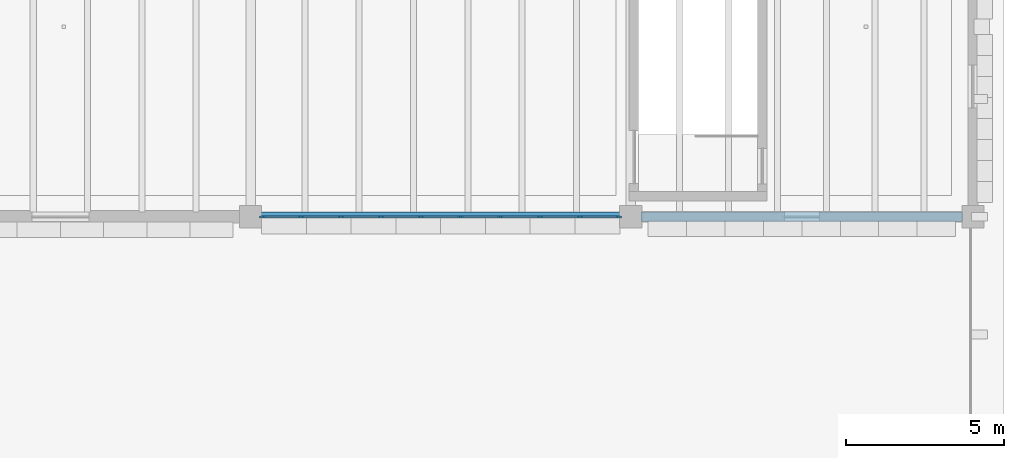
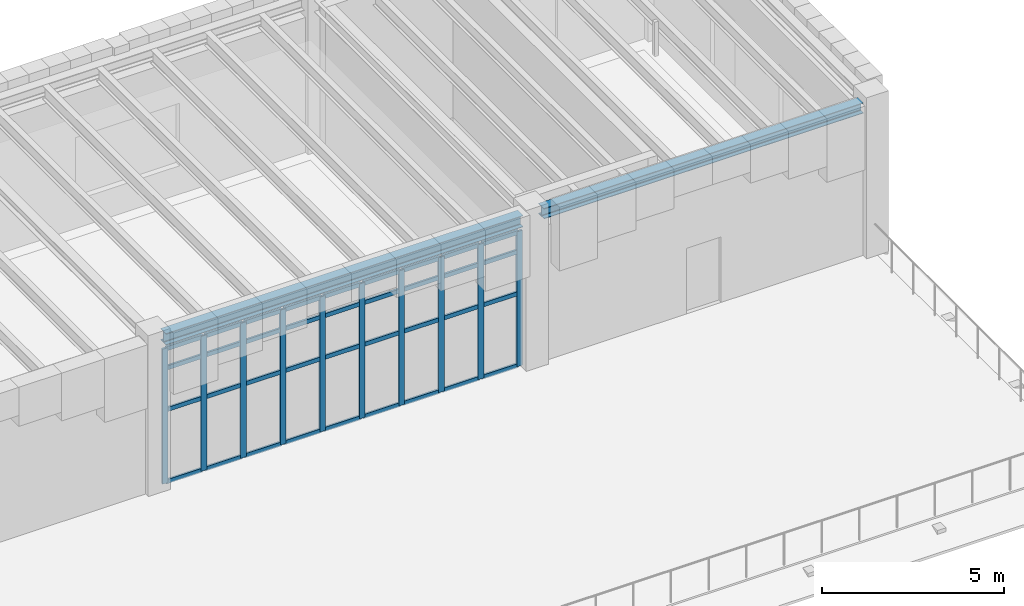
# One storey, part 37 of 100: 46 members, 2 beams, 1 element without a shape of its own.
"""IFC4 building model written with IfcOpenShell, lengths in metres."""

import ifcopenshell
import ifcopenshell.guid

model = None  # the IFC model being written
_history = None  # IfcOwnerHistory: only IFC2X3 demands one
_inside = {}  # id of a spatial element -> (the spatial element, [elements in it])
_under = {}  # id of a project, library or spatial element -> (it, [spatial elements below it])
_declared = {}  # id of a project -> (the project, [libraries it declares])
_typed = {}  # id of a type object -> (the type object, [elements of that type])
_made_of = {}  # id of a material, layer set ... -> (it, [elements and type objects made of it])


def new_model(schema):
    """Start an empty IFC model of exactly this schema.

    Asked for "IFC4X3", IfcOpenShell would pick the latest addendum, in which some entities
    have other attributes; the version numbers below select the first issue.
    IFC2X3 requires an IfcOwnerHistory on every rooted entity: one is made here for all.
    """
    global model, _history
    if schema == "IFC4X3":
        model = ifcopenshell.file(schema_version=(4, 3, 0, 0))
    else:
        model = ifcopenshell.file(schema=schema)
    _inside.clear()
    _under.clear()
    _declared.clear()
    _typed.clear()
    _made_of.clear()
    _history = None
    if model.schema == "IFC2X3":
        org = make("IfcOrganization", Name="unknown")
        user = make(
            "IfcPersonAndOrganization",
            ThePerson=make("IfcPerson", FamilyName="unknown"),
            TheOrganization=org,
        )
        app = make(
            "IfcApplication",
            ApplicationDeveloper=org,
            Version="unknown",
            ApplicationFullName="unknown",
            ApplicationIdentifier="unknown",
        )
        _history = make(
            "IfcOwnerHistory",
            OwningUser=user,
            OwningApplication=app,
            ChangeAction="ADDED",
            CreationDate=0,
        )
    return model


def make(cls, **values):
    """One entity of the class cls with the attributes given. An attribute that is None is left unset."""
    return model.create_entity(
        cls, **{name: value for name, value in values.items() if value is not None}
    )


def rooted(cls, **values):
    """An entity with a GlobalId (a new one), such as an element, a storey or a relation."""
    return make(cls, GlobalId=ifcopenshell.guid.new(), OwnerHistory=_history, **values)


def si_unit(unit_type, name, prefix=None):
    """IfcSIUnit, for example si_unit("LENGTHUNIT", "METRE", prefix="MILLI")."""
    return make("IfcSIUnit", UnitType=unit_type, Prefix=prefix, Name=name)


def assignment(units):
    """IfcUnitAssignment: the units of a project."""
    return None if units is None else make("IfcUnitAssignment", Units=units)


def point(xyz):
    """IfcCartesianPoint."""
    return None if xyz is None else make("IfcCartesianPoint", Coordinates=xyz)


def direction(xyz):
    """IfcDirection."""
    return None if xyz is None else make("IfcDirection", DirectionRatios=xyz)


def frame(location, z_axis=None, x_axis=None):
    """IfcAxis2Placement3D, a coordinate frame: its origin and axes. An axis left out is left unset."""
    return make(
        "IfcAxis2Placement3D",
        Location=point(location),
        Axis=direction(z_axis),
        RefDirection=direction(x_axis),
    )


def frame_2d(location, x_axis=None):
    """IfcAxis2Placement2D, a coordinate frame in the plane: its origin and x axis."""
    return make(
        "IfcAxis2Placement2D", Location=point(location), RefDirection=direction(x_axis)
    )


def origin():
    """The frame at (0, 0, 0) with its axes left unset."""
    return frame((0.0, 0.0, 0.0))


def origin_2d():
    """The frame at (0, 0) in the plane with its x axis left unset."""
    return frame_2d((0.0, 0.0))


def place(relative_to, where):
    """IfcLocalPlacement: puts the frame where relative to a parent placement (None: the world)."""
    return make(
        "IfcLocalPlacement", PlacementRelTo=relative_to, RelativePlacement=where
    )


def context(
    kind, dimensions, precision=None, world=None, true_north=None, identifier=None
):
    """IfcGeometricRepresentationContext, for example the 3D "Model" context."""
    return make(
        "IfcGeometricRepresentationContext",
        ContextIdentifier=identifier,
        ContextType=kind,
        CoordinateSpaceDimension=dimensions,
        Precision=precision,
        WorldCoordinateSystem=world,
        TrueNorth=true_north,
    )


def subcontext(parent, identifier, kind, view, scale=None):
    """IfcGeometricRepresentationSubContext, for example "Body" below "Model"."""
    return make(
        "IfcGeometricRepresentationSubContext",
        ContextIdentifier=identifier,
        ContextType=kind,
        ParentContext=parent,
        TargetScale=scale,
        TargetView=view,
    )


def project(units=None, contexts=None):
    """IfcProject with its units and contexts."""
    return rooted(
        "IfcProject",
        Name="project",
        RepresentationContexts=contexts,
        UnitsInContext=assignment(units),
    )


def spatial(cls, under=None, at=None, **own):
    """A site, building, storey or space (cls), placed at a placement, below another one or the project."""
    s = rooted(cls, ObjectPlacement=at, **own)
    if under is not None:
        _under.setdefault(under.id(), (under, []))[1].append(s)
    return s


def profile(cls, at=None, kind="AREA", **sizes):
    """A parametric profile (cls). Its sizes go by their IFC names, for example OverallWidth=200.0."""
    return make(cls, ProfileType=kind, Position=at, **sizes)


def rectangle(**sizes):
    """IfcRectangleProfileDef."""
    return profile("IfcRectangleProfileDef", **sizes)


def i_section(**sizes):
    """IfcIShapeProfileDef."""
    return profile("IfcIShapeProfileDef", **sizes)


def extrude(swept, where, along, depth):
    """IfcExtrudedAreaSolid: the profile swept, set in the frame where, extruded along a direction by depth."""
    return make(
        "IfcExtrudedAreaSolid",
        SweptArea=swept,
        Position=where,
        ExtrudedDirection=direction(along),
        Depth=depth,
    )


def shape(context_of_items, identifier, shape_type, items):
    """IfcShapeRepresentation: the items that make up one representation, for example the "Body"."""
    return make(
        "IfcShapeRepresentation",
        ContextOfItems=context_of_items,
        RepresentationIdentifier=identifier,
        RepresentationType=shape_type,
        Items=items,
    )


def material(Name=None, Category=None):
    """IfcMaterial."""
    return make("IfcMaterial", Name=Name, Category=Category)


def layer(
    of_material, thickness, ventilated=None, Name=None, Category=None, Priority=None
):
    """IfcMaterialLayer: one layer of a wall or slab, of a material (None: an air gap)."""
    return make(
        "IfcMaterialLayer",
        Material=of_material,
        LayerThickness=thickness,
        IsVentilated=ventilated,
        Name=Name,
        Category=Category,
        Priority=Priority,
    )


def layer_set(layers, Name=None):
    """IfcMaterialLayerSet."""
    return make("IfcMaterialLayerSet", MaterialLayers=layers, LayerSetName=Name)


def material_profile(
    of_material, cross_section, Name=None, Category=None, Priority=None
):
    """IfcMaterialProfile: a cross section and its material."""
    return make(
        "IfcMaterialProfile",
        Name=Name,
        Material=of_material,
        Profile=cross_section,
        Priority=Priority,
        Category=Category,
    )


def profile_set(profiles, Name=None, composite=None):
    """IfcMaterialProfileSet."""
    return make(
        "IfcMaterialProfileSet",
        Name=Name,
        MaterialProfiles=profiles,
        CompositeProfile=composite,
    )


def made_of(thing, what):
    """Note that an element or type object is made of a material, layer set ...; save() writes the relation."""
    if what is not None:
        _made_of.setdefault(what.id(), (what, []))[1].append(thing)
    return thing


def type_object(cls, material=None, **own):
    """A type object (cls), such as IfcWallType, which elements share."""
    return made_of(rooted(cls, **own), material)


def element(
    cls,
    number,
    at=None,
    inside=None,
    cuts=None,
    type_object=None,
    material=None,
    context=None,
    identifier="Body",
    shape_type=None,
    held_by="IfcProductDefinitionShape",
    body=None,
    shapes=None,
    **own,
):
    """One element of the class cls, such as IfcWall. Its Tag is "e" and its number.

    at: its placement. inside: the storey or other place that contains it. cuts: it is an
    opening in that element (IfcRelVoidsElement). A single representation is given by context,
    identifier, shape_type and body (its items); several are given by shapes. held_by: the class
    of the entity that holds the representations. save() writes the other relations.
    """
    e = rooted(cls, Tag="e%d" % number, ObjectPlacement=at, **own)
    if body is not None:
        shapes = [shape(context, identifier, shape_type, body)]
    if shapes is not None:
        e.Representation = make(held_by, Representations=shapes)
    if inside is not None:
        _inside.setdefault(inside.id(), (inside, []))[1].append(e)
    if cuts is not None:
        rooted(
            "IfcRelVoidsElement", RelatingBuildingElement=cuts, RelatedOpeningElement=e
        )
    if type_object is not None:
        _typed.setdefault(type_object.id(), (type_object, []))[1].append(e)
    return made_of(e, material)


def aggregate(whole, parts):
    """IfcRelAggregates: a whole, such as a stair, and the parts it consists of."""
    return rooted("IfcRelAggregates", RelatingObject=whole, RelatedObjects=parts)


def save(model, path):
    """Write the relations noted so far, then the file.

    IfcRelAggregates (storeys below a building ...), IfcRelContainedInSpatialStructure (elements
    in a storey), IfcRelDefinesByType, IfcRelAssociatesMaterial and IfcRelDeclares: one each for
    every whole, place, type object, material and project.
    """
    for whole, parts in _under.values():
        aggregate(whole, parts)
    for where, things in _inside.values():
        rooted(
            "IfcRelContainedInSpatialStructure",
            RelatedElements=things,
            RelatingStructure=where,
        )
    for kind, things in _typed.values():
        rooted("IfcRelDefinesByType", RelatedObjects=things, RelatingType=kind)
    for what, things in _made_of.values():
        rooted("IfcRelAssociatesMaterial", RelatedObjects=things, RelatingMaterial=what)
    for by, libraries in _declared.values():
        rooted("IfcRelDeclares", RelatingContext=by, RelatedDefinitions=libraries)
    model.write(path)


model = new_model("IFC4")

# Units and contexts
model_context = context("Model", 3, precision=1e-05, world=origin(), true_north=direction((0.0, 1.0)))
body_context = subcontext(model_context, "Body", "Model", "MODEL_VIEW")
ifc_project = project(units=[si_unit("LENGTHUNIT", "METRE"), si_unit("AREAUNIT", "SQUARE_METRE"), si_unit("VOLUMEUNIT", "CUBIC_METRE"), si_unit("PLANEANGLEUNIT", "RADIAN"), si_unit("MASSUNIT", "GRAM", prefix="KILO")], contexts=[model_context])

# Site, building, storey
site_placement = place(None, origin())
site = spatial("IfcSite", under=ifc_project, at=site_placement, CompositionType="ELEMENT")
building_placement = place(site_placement, origin())
building = spatial("IfcBuilding", under=site, at=building_placement, Name="Zlatogorsky Bluff Art Gallery", CompositionType="ELEMENT")
storey_placement = place(building_placement, frame((0.0, 0.0, 5.39990234375)))
storey = spatial("IfcBuildingStorey", under=building, at=storey_placement, Name="L01", CompositionType="ELEMENT", Elevation=5.39990234375)

# Beams
ifc_material_1 = material(Name="Steel S355", Category="steel")
ifc_material_profile_1 = material_profile(ifc_material_1, i_section(OverallWidth=0.300048828125, OverallDepth=0.389892578125, WebThickness=0.010986328125, FlangeThickness=0.01904296875, FilletRadius=0.027099609375, at=origin_2d()), Name="HEA 400")
ifc_profile_set_1 = profile_set([ifc_material_profile_1], Name="Steel S355")
beam_type_1 = type_object("IfcBeamType", Name="Beam BM-09 HEA 400", PredefinedType="BEAM", material=ifc_profile_set_1)
beam_1_placement = place(storey_placement, frame((144.330078125, 38.39990234375, 4.9150390625), z_axis=(1.0, 0.0, 0.0), x_axis=(0.0, 1.0, 0.0)))
element("IfcBeam", 1, at=beam_1_placement, inside=storey, type_object=beam_type_1, Name="Primary girder BM-09 L01 N-P/5", PredefinedType="BEAM", context=body_context, shape_type="SweptSolid", body=[
    extrude(i_section(OverallWidth=0.300048828125, OverallDepth=0.389892578125, WebThickness=0.010986328125, FlangeThickness=0.01904296875, FilletRadius=0.027099609375, at=origin_2d()), origin(), (0.0, 0.0, 1.0), 11.33984375),
])
ifc_material_profile_2 = material_profile(ifc_material_1, i_section(OverallWidth=0.300048828125, OverallDepth=0.35009765625, WebThickness=0.010009765625, FlangeThickness=0.017578125, FilletRadius=0.027099609375, at=origin_2d()), Name="HEA 360")
ifc_profile_set_2 = profile_set([ifc_material_profile_2], Name="Steel S355")
beam_type_2 = type_object("IfcBeamType", Name="Beam BM-10 HEA 360", PredefinedType="BEAM", material=ifc_profile_set_2)
beam_2_placement = place(storey_placement, frame((156.330078125, 38.39990234375, 4.93505859375), z_axis=(1.0, 0.0, 0.0), x_axis=(0.0, 1.0, 0.0)))
element("IfcBeam", 2, at=beam_2_placement, inside=storey, type_object=beam_type_2, Name="Primary girder BM-10 L01 P-Q/5", PredefinedType="BEAM", context=body_context, shape_type="SweptSolid", body=[
    extrude(i_section(OverallWidth=0.300048828125, OverallDepth=0.35009765625, WebThickness=0.010009765625, FlangeThickness=0.017578125, FilletRadius=0.027099609375, at=origin_2d()), origin(), (0.0, 0.0, 1.0), 10.139892578125),
])

# Curtain wall, members
ifc_material_2 = material(Name="Anodised Bronze Aluminium and Low-Iron Triple Glazing", Category="aluminium")
ifc_layer = layer(ifc_material_2, 0.179931640625)
ifc_layer_set = layer_set([ifc_layer], Name="Curtain Wall CW-03")
curtain_wall_type = type_object("IfcCurtainWallType", Name="Curtain Wall CW-03", PredefinedType="USERDEFINED", material=ifc_layer_set)
curtain_wall_placement = place(storey_placement, origin())
curtain_wall = element("IfcCurtainWall", 3, at=curtain_wall_placement, inside=storey, type_object=curtain_wall_type, Name="Unitised curtain wall CW-03 L01 S 12.4", ObjectType="CURTAIN WALL", PredefinedType="USERDEFINED")
ifc_material_3 = material(Name="Anodised Bronze Aluminium", Category="aluminium")
ifc_material_profile_3 = material_profile(ifc_material_3, rectangle(XDim=0.06494140625, YDim=0.179931640625, at=origin_2d()), Name="ALU MULLION 65x180")
ifc_profile_set_3 = profile_set([ifc_material_profile_3], Name="Anodised Bronze Aluminium")
member_type_1 = type_object("IfcMemberType", Name="Curtain Mullion ML-01", PredefinedType="MULLION", material=ifc_profile_set_3)
member_1_placement = place(storey_placement, frame((144.37744140625, 38.39990234375, 0.0), z_axis=(0.0, 0.0, 1.0), x_axis=(0.0, 1.0, 0.0)))
member_1 = element("IfcMember", 4, at=member_1_placement, type_object=member_type_1, Name="CW-03 mullion 1", PredefinedType="MULLION", context=body_context, shape_type="SweptSolid", body=[
    extrude(rectangle(XDim=0.06494140625, YDim=0.179931640625, at=origin_2d()), origin(), (0.0, 0.0, 1.0), 4.530029296875),
])
member_2_placement = place(storey_placement, frame((145.6015625, 38.39990234375, 0.0), z_axis=(0.0, 0.0, 1.0), x_axis=(0.0, 1.0, 0.0)))
member_2 = element("IfcMember", 5, at=member_2_placement, type_object=member_type_1, Name="CW-03 mullion 2", PredefinedType="MULLION", context=body_context, shape_type="SweptSolid", body=[
    extrude(rectangle(XDim=0.06494140625, YDim=0.179931640625, at=origin_2d()), origin(), (0.0, 0.0, 1.0), 4.530029296875),
])
member_3_placement = place(storey_placement, frame((146.8583984375, 38.39990234375, 0.0), z_axis=(0.0, 0.0, 1.0), x_axis=(0.0, 1.0, 0.0)))
member_3 = element("IfcMember", 6, at=member_3_placement, type_object=member_type_1, Name="CW-03 mullion 3", PredefinedType="MULLION", context=body_context, shape_type="SweptSolid", body=[
    extrude(rectangle(XDim=0.06494140625, YDim=0.179931640625, at=origin_2d()), origin(), (0.0, 0.0, 1.0), 4.530029296875),
])
member_4_placement = place(storey_placement, frame((148.114990234375, 38.39990234375, 0.0), z_axis=(0.0, 0.0, 1.0), x_axis=(0.0, 1.0, 0.0)))
member_4 = element("IfcMember", 7, at=member_4_placement, type_object=member_type_1, Name="CW-03 mullion 4", PredefinedType="MULLION", context=body_context, shape_type="SweptSolid", body=[
    extrude(rectangle(XDim=0.06494140625, YDim=0.179931640625, at=origin_2d()), origin(), (0.0, 0.0, 1.0), 4.530029296875),
])
member_5_placement = place(storey_placement, frame((149.37158203125, 38.39990234375, 0.0), z_axis=(0.0, 0.0, 1.0), x_axis=(0.0, 1.0, 0.0)))
member_5 = element("IfcMember", 8, at=member_5_placement, type_object=member_type_1, Name="CW-03 mullion 5", PredefinedType="MULLION", context=body_context, shape_type="SweptSolid", body=[
    extrude(rectangle(XDim=0.06494140625, YDim=0.179931640625, at=origin_2d()), origin(), (0.0, 0.0, 1.0), 4.530029296875),
])
member_6_placement = place(storey_placement, frame((150.62841796875, 38.39990234375, 0.0), z_axis=(0.0, 0.0, 1.0), x_axis=(0.0, 1.0, 0.0)))
member_6 = element("IfcMember", 9, at=member_6_placement, type_object=member_type_1, Name="CW-03 mullion 6", PredefinedType="MULLION", context=body_context, shape_type="SweptSolid", body=[
    extrude(rectangle(XDim=0.06494140625, YDim=0.179931640625, at=origin_2d()), origin(), (0.0, 0.0, 1.0), 4.530029296875),
])
member_7_placement = place(storey_placement, frame((151.885009765625, 38.39990234375, 0.0), z_axis=(0.0, 0.0, 1.0), x_axis=(0.0, 1.0, 0.0)))
member_7 = element("IfcMember", 10, at=member_7_placement, type_object=member_type_1, Name="CW-03 mullion 7", PredefinedType="MULLION", context=body_context, shape_type="SweptSolid", body=[
    extrude(rectangle(XDim=0.06494140625, YDim=0.179931640625, at=origin_2d()), origin(), (0.0, 0.0, 1.0), 4.530029296875),
])
member_8_placement = place(storey_placement, frame((153.1416015625, 38.39990234375, 0.0), z_axis=(0.0, 0.0, 1.0), x_axis=(0.0, 1.0, 0.0)))
member_8 = element("IfcMember", 11, at=member_8_placement, type_object=member_type_1, Name="CW-03 mullion 8", PredefinedType="MULLION", context=body_context, shape_type="SweptSolid", body=[
    extrude(rectangle(XDim=0.06494140625, YDim=0.179931640625, at=origin_2d()), origin(), (0.0, 0.0, 1.0), 4.530029296875),
])
member_9_placement = place(storey_placement, frame((154.3984375, 38.39990234375, 0.0), z_axis=(0.0, 0.0, 1.0), x_axis=(0.0, 1.0, 0.0)))
member_9 = element("IfcMember", 12, at=member_9_placement, type_object=member_type_1, Name="CW-03 mullion 9", PredefinedType="MULLION", context=body_context, shape_type="SweptSolid", body=[
    extrude(rectangle(XDim=0.06494140625, YDim=0.179931640625, at=origin_2d()), origin(), (0.0, 0.0, 1.0), 4.530029296875),
])
member_10_placement = place(storey_placement, frame((155.62255859375, 38.39990234375, 0.0), z_axis=(0.0, 0.0, 1.0), x_axis=(0.0, 1.0, 0.0)))
member_10 = element("IfcMember", 13, at=member_10_placement, type_object=member_type_1, Name="CW-03 mullion 10", PredefinedType="MULLION", context=body_context, shape_type="SweptSolid", body=[
    extrude(rectangle(XDim=0.06494140625, YDim=0.179931640625, at=origin_2d()), origin(), (0.0, 0.0, 1.0), 4.530029296875),
])
ifc_material_profile_4 = material_profile(ifc_material_3, rectangle(XDim=0.06494140625, YDim=0.139892578125, at=origin_2d()), Name="ALU TRANSOM 65x140")
ifc_profile_set_4 = profile_set([ifc_material_profile_4], Name="Anodised Bronze Aluminium")
member_type_2 = type_object("IfcMemberType", Name="Curtain Transom TR-01", PredefinedType="USERDEFINED", material=ifc_profile_set_4)
member_11_placement = place(storey_placement, frame((144.409912109375, 38.39990234375, 0.03271484375), z_axis=(1.0, 0.0, 0.0), x_axis=(0.0, 1.0, 0.0)))
member_11 = element("IfcMember", 14, at=member_11_placement, type_object=member_type_2, Name="CW-03 transom 1.1", ObjectType="TRANSOM", PredefinedType="USERDEFINED", context=body_context, shape_type="SweptSolid", body=[
    extrude(rectangle(XDim=0.06494140625, YDim=0.139892578125, at=origin_2d()), origin(), (0.0, 0.0, 1.0), 1.1591796875),
])
member_12_placement = place(storey_placement, frame((144.409912109375, 38.39990234375, 2.4501953125), z_axis=(1.0, 0.0, 0.0), x_axis=(0.0, 1.0, 0.0)))
member_12 = element("IfcMember", 15, at=member_12_placement, type_object=member_type_2, Name="CW-03 transom 1.2", ObjectType="TRANSOM", PredefinedType="USERDEFINED", context=body_context, shape_type="SweptSolid", body=[
    extrude(rectangle(XDim=0.06494140625, YDim=0.139892578125, at=origin_2d()), origin(), (0.0, 0.0, 1.0), 1.1591796875),
])
member_13_placement = place(storey_placement, frame((144.409912109375, 38.39990234375, 3.85009765625), z_axis=(1.0, 0.0, 0.0), x_axis=(0.0, 1.0, 0.0)))
member_13 = element("IfcMember", 16, at=member_13_placement, type_object=member_type_2, Name="CW-03 transom 1.3", ObjectType="TRANSOM", PredefinedType="USERDEFINED", context=body_context, shape_type="SweptSolid", body=[
    extrude(rectangle(XDim=0.06494140625, YDim=0.139892578125, at=origin_2d()), origin(), (0.0, 0.0, 1.0), 1.1591796875),
])
member_14_placement = place(storey_placement, frame((144.409912109375, 38.39990234375, 4.49755859375), z_axis=(1.0, 0.0, 0.0), x_axis=(0.0, 1.0, 0.0)))
member_14 = element("IfcMember", 17, at=member_14_placement, type_object=member_type_2, Name="CW-03 transom 1.4", ObjectType="TRANSOM", PredefinedType="USERDEFINED", context=body_context, shape_type="SweptSolid", body=[
    extrude(rectangle(XDim=0.06494140625, YDim=0.139892578125, at=origin_2d()), origin(), (0.0, 0.0, 1.0), 1.1591796875),
])
member_15_placement = place(storey_placement, frame((145.63427734375, 38.39990234375, 0.03271484375), z_axis=(1.0, 0.0, 0.0), x_axis=(0.0, 1.0, 0.0)))
member_15 = element("IfcMember", 18, at=member_15_placement, type_object=member_type_2, Name="CW-03 transom 2.1", ObjectType="TRANSOM", PredefinedType="USERDEFINED", context=body_context, shape_type="SweptSolid", body=[
    extrude(rectangle(XDim=0.06494140625, YDim=0.139892578125, at=origin_2d()), origin(), (0.0, 0.0, 1.0), 1.191650390625),
])
member_16_placement = place(storey_placement, frame((145.63427734375, 38.39990234375, 2.4501953125), z_axis=(1.0, 0.0, 0.0), x_axis=(0.0, 1.0, 0.0)))
member_16 = element("IfcMember", 19, at=member_16_placement, type_object=member_type_2, Name="CW-03 transom 2.2", ObjectType="TRANSOM", PredefinedType="USERDEFINED", context=body_context, shape_type="SweptSolid", body=[
    extrude(rectangle(XDim=0.06494140625, YDim=0.139892578125, at=origin_2d()), origin(), (0.0, 0.0, 1.0), 1.191650390625),
])
member_17_placement = place(storey_placement, frame((145.63427734375, 38.39990234375, 3.85009765625), z_axis=(1.0, 0.0, 0.0), x_axis=(0.0, 1.0, 0.0)))
member_17 = element("IfcMember", 20, at=member_17_placement, type_object=member_type_2, Name="CW-03 transom 2.3", ObjectType="TRANSOM", PredefinedType="USERDEFINED", context=body_context, shape_type="SweptSolid", body=[
    extrude(rectangle(XDim=0.06494140625, YDim=0.139892578125, at=origin_2d()), origin(), (0.0, 0.0, 1.0), 1.191650390625),
])
member_18_placement = place(storey_placement, frame((145.63427734375, 38.39990234375, 4.49755859375), z_axis=(1.0, 0.0, 0.0), x_axis=(0.0, 1.0, 0.0)))
member_18 = element("IfcMember", 21, at=member_18_placement, type_object=member_type_2, Name="CW-03 transom 2.4", ObjectType="TRANSOM", PredefinedType="USERDEFINED", context=body_context, shape_type="SweptSolid", body=[
    extrude(rectangle(XDim=0.06494140625, YDim=0.139892578125, at=origin_2d()), origin(), (0.0, 0.0, 1.0), 1.191650390625),
])
member_19_placement = place(storey_placement, frame((146.890869140625, 38.39990234375, 0.03271484375), z_axis=(1.0, 0.0, 0.0), x_axis=(0.0, 1.0, 0.0)))
member_19 = element("IfcMember", 22, at=member_19_placement, type_object=member_type_2, Name="CW-03 transom 3.1", ObjectType="TRANSOM", PredefinedType="USERDEFINED", context=body_context, shape_type="SweptSolid", body=[
    extrude(rectangle(XDim=0.06494140625, YDim=0.139892578125, at=origin_2d()), origin(), (0.0, 0.0, 1.0), 1.191650390625),
])
member_20_placement = place(storey_placement, frame((146.890869140625, 38.39990234375, 2.4501953125), z_axis=(1.0, 0.0, 0.0), x_axis=(0.0, 1.0, 0.0)))
member_20 = element("IfcMember", 23, at=member_20_placement, type_object=member_type_2, Name="CW-03 transom 3.2", ObjectType="TRANSOM", PredefinedType="USERDEFINED", context=body_context, shape_type="SweptSolid", body=[
    extrude(rectangle(XDim=0.06494140625, YDim=0.139892578125, at=origin_2d()), origin(), (0.0, 0.0, 1.0), 1.191650390625),
])
member_21_placement = place(storey_placement, frame((146.890869140625, 38.39990234375, 3.85009765625), z_axis=(1.0, 0.0, 0.0), x_axis=(0.0, 1.0, 0.0)))
member_21 = element("IfcMember", 24, at=member_21_placement, type_object=member_type_2, Name="CW-03 transom 3.3", ObjectType="TRANSOM", PredefinedType="USERDEFINED", context=body_context, shape_type="SweptSolid", body=[
    extrude(rectangle(XDim=0.06494140625, YDim=0.139892578125, at=origin_2d()), origin(), (0.0, 0.0, 1.0), 1.191650390625),
])
member_22_placement = place(storey_placement, frame((146.890869140625, 38.39990234375, 4.49755859375), z_axis=(1.0, 0.0, 0.0), x_axis=(0.0, 1.0, 0.0)))
member_22 = element("IfcMember", 25, at=member_22_placement, type_object=member_type_2, Name="CW-03 transom 3.4", ObjectType="TRANSOM", PredefinedType="USERDEFINED", context=body_context, shape_type="SweptSolid", body=[
    extrude(rectangle(XDim=0.06494140625, YDim=0.139892578125, at=origin_2d()), origin(), (0.0, 0.0, 1.0), 1.191650390625),
])
member_23_placement = place(storey_placement, frame((148.1474609375, 38.39990234375, 0.03271484375), z_axis=(1.0, 0.0, 0.0), x_axis=(0.0, 1.0, 0.0)))
member_23 = element("IfcMember", 26, at=member_23_placement, type_object=member_type_2, Name="CW-03 transom 4.1", ObjectType="TRANSOM", PredefinedType="USERDEFINED", context=body_context, shape_type="SweptSolid", body=[
    extrude(rectangle(XDim=0.06494140625, YDim=0.139892578125, at=origin_2d()), origin(), (0.0, 0.0, 1.0), 1.191650390625),
])
member_24_placement = place(storey_placement, frame((148.1474609375, 38.39990234375, 2.4501953125), z_axis=(1.0, 0.0, 0.0), x_axis=(0.0, 1.0, 0.0)))
member_24 = element("IfcMember", 27, at=member_24_placement, type_object=member_type_2, Name="CW-03 transom 4.2", ObjectType="TRANSOM", PredefinedType="USERDEFINED", context=body_context, shape_type="SweptSolid", body=[
    extrude(rectangle(XDim=0.06494140625, YDim=0.139892578125, at=origin_2d()), origin(), (0.0, 0.0, 1.0), 1.191650390625),
])
member_25_placement = place(storey_placement, frame((148.1474609375, 38.39990234375, 3.85009765625), z_axis=(1.0, 0.0, 0.0), x_axis=(0.0, 1.0, 0.0)))
member_25 = element("IfcMember", 28, at=member_25_placement, type_object=member_type_2, Name="CW-03 transom 4.3", ObjectType="TRANSOM", PredefinedType="USERDEFINED", context=body_context, shape_type="SweptSolid", body=[
    extrude(rectangle(XDim=0.06494140625, YDim=0.139892578125, at=origin_2d()), origin(), (0.0, 0.0, 1.0), 1.191650390625),
])
member_26_placement = place(storey_placement, frame((148.1474609375, 38.39990234375, 4.49755859375), z_axis=(1.0, 0.0, 0.0), x_axis=(0.0, 1.0, 0.0)))
member_26 = element("IfcMember", 29, at=member_26_placement, type_object=member_type_2, Name="CW-03 transom 4.4", ObjectType="TRANSOM", PredefinedType="USERDEFINED", context=body_context, shape_type="SweptSolid", body=[
    extrude(rectangle(XDim=0.06494140625, YDim=0.139892578125, at=origin_2d()), origin(), (0.0, 0.0, 1.0), 1.191650390625),
])
member_27_placement = place(storey_placement, frame((149.404052734375, 38.39990234375, 0.03271484375), z_axis=(1.0, 0.0, 0.0), x_axis=(0.0, 1.0, 0.0)))
member_27 = element("IfcMember", 30, at=member_27_placement, type_object=member_type_2, Name="CW-03 transom 5.1", ObjectType="TRANSOM", PredefinedType="USERDEFINED", context=body_context, shape_type="SweptSolid", body=[
    extrude(rectangle(XDim=0.06494140625, YDim=0.139892578125, at=origin_2d()), origin(), (0.0, 0.0, 1.0), 1.19189453125),
])
member_28_placement = place(storey_placement, frame((149.404052734375, 38.39990234375, 2.4501953125), z_axis=(1.0, 0.0, 0.0), x_axis=(0.0, 1.0, 0.0)))
member_28 = element("IfcMember", 31, at=member_28_placement, type_object=member_type_2, Name="CW-03 transom 5.2", ObjectType="TRANSOM", PredefinedType="USERDEFINED", context=body_context, shape_type="SweptSolid", body=[
    extrude(rectangle(XDim=0.06494140625, YDim=0.139892578125, at=origin_2d()), origin(), (0.0, 0.0, 1.0), 1.19189453125),
])
member_29_placement = place(storey_placement, frame((149.404052734375, 38.39990234375, 3.85009765625), z_axis=(1.0, 0.0, 0.0), x_axis=(0.0, 1.0, 0.0)))
member_29 = element("IfcMember", 32, at=member_29_placement, type_object=member_type_2, Name="CW-03 transom 5.3", ObjectType="TRANSOM", PredefinedType="USERDEFINED", context=body_context, shape_type="SweptSolid", body=[
    extrude(rectangle(XDim=0.06494140625, YDim=0.139892578125, at=origin_2d()), origin(), (0.0, 0.0, 1.0), 1.19189453125),
])
member_30_placement = place(storey_placement, frame((149.404052734375, 38.39990234375, 4.49755859375), z_axis=(1.0, 0.0, 0.0), x_axis=(0.0, 1.0, 0.0)))
member_30 = element("IfcMember", 33, at=member_30_placement, type_object=member_type_2, Name="CW-03 transom 5.4", ObjectType="TRANSOM", PredefinedType="USERDEFINED", context=body_context, shape_type="SweptSolid", body=[
    extrude(rectangle(XDim=0.06494140625, YDim=0.139892578125, at=origin_2d()), origin(), (0.0, 0.0, 1.0), 1.19189453125),
])
member_31_placement = place(storey_placement, frame((150.660888671875, 38.39990234375, 0.03271484375), z_axis=(1.0, 0.0, 0.0), x_axis=(0.0, 1.0, 0.0)))
member_31 = element("IfcMember", 34, at=member_31_placement, type_object=member_type_2, Name="CW-03 transom 6.1", ObjectType="TRANSOM", PredefinedType="USERDEFINED", context=body_context, shape_type="SweptSolid", body=[
    extrude(rectangle(XDim=0.06494140625, YDim=0.139892578125, at=origin_2d()), origin(), (0.0, 0.0, 1.0), 1.191650390625),
])
member_32_placement = place(storey_placement, frame((150.660888671875, 38.39990234375, 2.4501953125), z_axis=(1.0, 0.0, 0.0), x_axis=(0.0, 1.0, 0.0)))
member_32 = element("IfcMember", 35, at=member_32_placement, type_object=member_type_2, Name="CW-03 transom 6.2", ObjectType="TRANSOM", PredefinedType="USERDEFINED", context=body_context, shape_type="SweptSolid", body=[
    extrude(rectangle(XDim=0.06494140625, YDim=0.139892578125, at=origin_2d()), origin(), (0.0, 0.0, 1.0), 1.191650390625),
])
member_33_placement = place(storey_placement, frame((150.660888671875, 38.39990234375, 3.85009765625), z_axis=(1.0, 0.0, 0.0), x_axis=(0.0, 1.0, 0.0)))
member_33 = element("IfcMember", 36, at=member_33_placement, type_object=member_type_2, Name="CW-03 transom 6.3", ObjectType="TRANSOM", PredefinedType="USERDEFINED", context=body_context, shape_type="SweptSolid", body=[
    extrude(rectangle(XDim=0.06494140625, YDim=0.139892578125, at=origin_2d()), origin(), (0.0, 0.0, 1.0), 1.191650390625),
])
member_34_placement = place(storey_placement, frame((150.660888671875, 38.39990234375, 4.49755859375), z_axis=(1.0, 0.0, 0.0), x_axis=(0.0, 1.0, 0.0)))
member_34 = element("IfcMember", 37, at=member_34_placement, type_object=member_type_2, Name="CW-03 transom 6.4", ObjectType="TRANSOM", PredefinedType="USERDEFINED", context=body_context, shape_type="SweptSolid", body=[
    extrude(rectangle(XDim=0.06494140625, YDim=0.139892578125, at=origin_2d()), origin(), (0.0, 0.0, 1.0), 1.191650390625),
])
member_35_placement = place(storey_placement, frame((151.91748046875, 38.39990234375, 0.03271484375), z_axis=(1.0, 0.0, 0.0), x_axis=(0.0, 1.0, 0.0)))
member_35 = element("IfcMember", 38, at=member_35_placement, type_object=member_type_2, Name="CW-03 transom 7.1", ObjectType="TRANSOM", PredefinedType="USERDEFINED", context=body_context, shape_type="SweptSolid", body=[
    extrude(rectangle(XDim=0.06494140625, YDim=0.139892578125, at=origin_2d()), origin(), (0.0, 0.0, 1.0), 1.191650390625),
])
member_36_placement = place(storey_placement, frame((151.91748046875, 38.39990234375, 2.4501953125), z_axis=(1.0, 0.0, 0.0), x_axis=(0.0, 1.0, 0.0)))
member_36 = element("IfcMember", 39, at=member_36_placement, type_object=member_type_2, Name="CW-03 transom 7.2", ObjectType="TRANSOM", PredefinedType="USERDEFINED", context=body_context, shape_type="SweptSolid", body=[
    extrude(rectangle(XDim=0.06494140625, YDim=0.139892578125, at=origin_2d()), origin(), (0.0, 0.0, 1.0), 1.191650390625),
])
member_37_placement = place(storey_placement, frame((151.91748046875, 38.39990234375, 3.85009765625), z_axis=(1.0, 0.0, 0.0), x_axis=(0.0, 1.0, 0.0)))
member_37 = element("IfcMember", 40, at=member_37_placement, type_object=member_type_2, Name="CW-03 transom 7.3", ObjectType="TRANSOM", PredefinedType="USERDEFINED", context=body_context, shape_type="SweptSolid", body=[
    extrude(rectangle(XDim=0.06494140625, YDim=0.139892578125, at=origin_2d()), origin(), (0.0, 0.0, 1.0), 1.191650390625),
])
member_38_placement = place(storey_placement, frame((151.91748046875, 38.39990234375, 4.49755859375), z_axis=(1.0, 0.0, 0.0), x_axis=(0.0, 1.0, 0.0)))
member_38 = element("IfcMember", 41, at=member_38_placement, type_object=member_type_2, Name="CW-03 transom 7.4", ObjectType="TRANSOM", PredefinedType="USERDEFINED", context=body_context, shape_type="SweptSolid", body=[
    extrude(rectangle(XDim=0.06494140625, YDim=0.139892578125, at=origin_2d()), origin(), (0.0, 0.0, 1.0), 1.191650390625),
])
member_39_placement = place(storey_placement, frame((153.174072265625, 38.39990234375, 0.03271484375), z_axis=(1.0, 0.0, 0.0), x_axis=(0.0, 1.0, 0.0)))
member_39 = element("IfcMember", 42, at=member_39_placement, type_object=member_type_2, Name="CW-03 transom 8.1", ObjectType="TRANSOM", PredefinedType="USERDEFINED", context=body_context, shape_type="SweptSolid", body=[
    extrude(rectangle(XDim=0.06494140625, YDim=0.139892578125, at=origin_2d()), origin(), (0.0, 0.0, 1.0), 1.191650390625),
])
member_40_placement = place(storey_placement, frame((153.174072265625, 38.39990234375, 2.4501953125), z_axis=(1.0, 0.0, 0.0), x_axis=(0.0, 1.0, 0.0)))
member_40 = element("IfcMember", 43, at=member_40_placement, type_object=member_type_2, Name="CW-03 transom 8.2", ObjectType="TRANSOM", PredefinedType="USERDEFINED", context=body_context, shape_type="SweptSolid", body=[
    extrude(rectangle(XDim=0.06494140625, YDim=0.139892578125, at=origin_2d()), origin(), (0.0, 0.0, 1.0), 1.191650390625),
])
member_41_placement = place(storey_placement, frame((153.174072265625, 38.39990234375, 3.85009765625), z_axis=(1.0, 0.0, 0.0), x_axis=(0.0, 1.0, 0.0)))
member_41 = element("IfcMember", 44, at=member_41_placement, type_object=member_type_2, Name="CW-03 transom 8.3", ObjectType="TRANSOM", PredefinedType="USERDEFINED", context=body_context, shape_type="SweptSolid", body=[
    extrude(rectangle(XDim=0.06494140625, YDim=0.139892578125, at=origin_2d()), origin(), (0.0, 0.0, 1.0), 1.191650390625),
])
member_42_placement = place(storey_placement, frame((153.174072265625, 38.39990234375, 4.49755859375), z_axis=(1.0, 0.0, 0.0), x_axis=(0.0, 1.0, 0.0)))
member_42 = element("IfcMember", 45, at=member_42_placement, type_object=member_type_2, Name="CW-03 transom 8.4", ObjectType="TRANSOM", PredefinedType="USERDEFINED", context=body_context, shape_type="SweptSolid", body=[
    extrude(rectangle(XDim=0.06494140625, YDim=0.139892578125, at=origin_2d()), origin(), (0.0, 0.0, 1.0), 1.191650390625),
])
member_43_placement = place(storey_placement, frame((154.430908203125, 38.39990234375, 0.03271484375), z_axis=(1.0, 0.0, 0.0), x_axis=(0.0, 1.0, 0.0)))
member_43 = element("IfcMember", 46, at=member_43_placement, type_object=member_type_2, Name="CW-03 transom 9.1", ObjectType="TRANSOM", PredefinedType="USERDEFINED", context=body_context, shape_type="SweptSolid", body=[
    extrude(rectangle(XDim=0.06494140625, YDim=0.139892578125, at=origin_2d()), origin(), (0.0, 0.0, 1.0), 1.1591796875),
])
member_44_placement = place(storey_placement, frame((154.430908203125, 38.39990234375, 2.4501953125), z_axis=(1.0, 0.0, 0.0), x_axis=(0.0, 1.0, 0.0)))
member_44 = element("IfcMember", 47, at=member_44_placement, type_object=member_type_2, Name="CW-03 transom 9.2", ObjectType="TRANSOM", PredefinedType="USERDEFINED", context=body_context, shape_type="SweptSolid", body=[
    extrude(rectangle(XDim=0.06494140625, YDim=0.139892578125, at=origin_2d()), origin(), (0.0, 0.0, 1.0), 1.1591796875),
])
member_45_placement = place(storey_placement, frame((154.430908203125, 38.39990234375, 3.85009765625), z_axis=(1.0, 0.0, 0.0), x_axis=(0.0, 1.0, 0.0)))
member_45 = element("IfcMember", 48, at=member_45_placement, type_object=member_type_2, Name="CW-03 transom 9.3", ObjectType="TRANSOM", PredefinedType="USERDEFINED", context=body_context, shape_type="SweptSolid", body=[
    extrude(rectangle(XDim=0.06494140625, YDim=0.139892578125, at=origin_2d()), origin(), (0.0, 0.0, 1.0), 1.1591796875),
])
member_46_placement = place(storey_placement, frame((154.430908203125, 38.39990234375, 4.49755859375), z_axis=(1.0, 0.0, 0.0), x_axis=(0.0, 1.0, 0.0)))
member_46 = element("IfcMember", 49, at=member_46_placement, type_object=member_type_2, Name="CW-03 transom 9.4", ObjectType="TRANSOM", PredefinedType="USERDEFINED", context=body_context, shape_type="SweptSolid", body=[
    extrude(rectangle(XDim=0.06494140625, YDim=0.139892578125, at=origin_2d()), origin(), (0.0, 0.0, 1.0), 1.1591796875),
])
aggregate(curtain_wall, [member_1, member_2, member_3, member_4, member_5, member_6, member_7, member_8, member_9, member_10, member_11, member_12, member_13, member_14, member_15, member_16, member_17, member_18, member_19, member_20, member_21, member_22, member_23, member_24, member_25, member_26, member_27, member_28, member_29, member_30, member_31, member_32, member_33, member_34, member_35, member_36, member_37, member_38, member_39, member_40, member_41, member_42, member_43, member_44, member_45, member_46])

save(model, "model.ifc")
